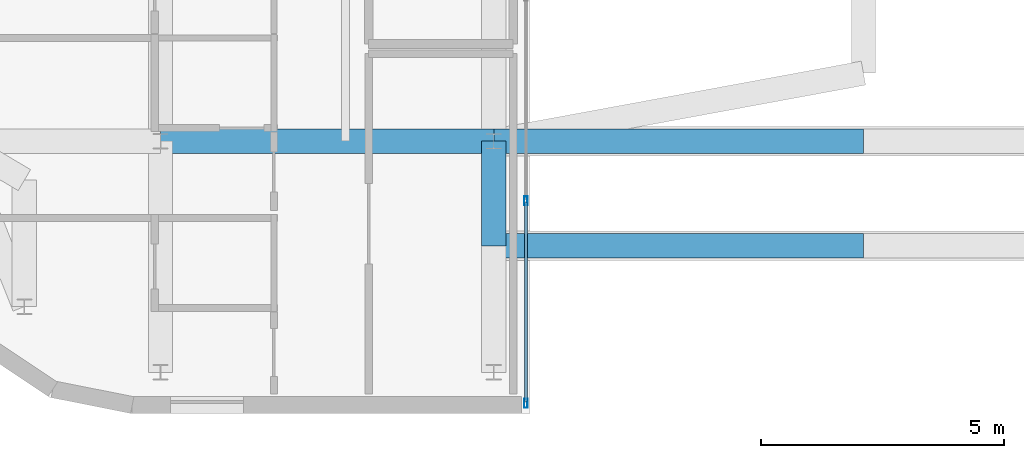
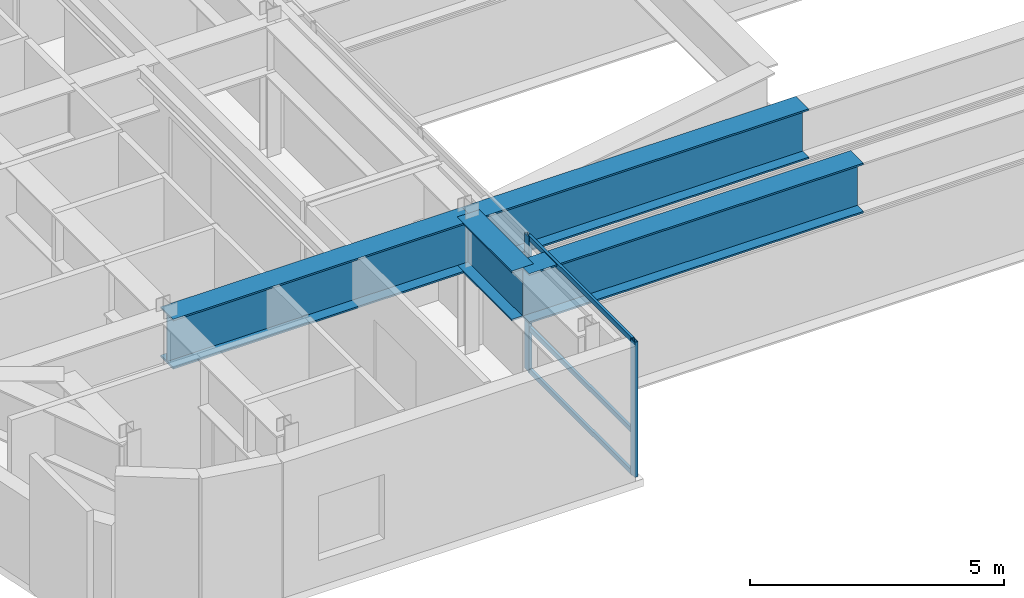
# One storey, part 4 of 21: 5 members, 4 beams, 1 element without a shape of its own.
"""IFC4 building model written with IfcOpenShell, lengths in metres."""

from ifc_helpers import new_model, si_unit, direction, frame, origin, origin_2d, place, context, subcontext, project, spatial, hollow_rectangle, i_section, extrude, source, transform, mapped, material, layer, layer_set, material_profile, profile_set, type_object, type_shapes, element, aggregate, save


model = new_model("IFC4")

# Units and contexts
model_context = context("Model", 3, precision=1e-05, world=origin(), true_north=direction((0.0, 1.0)))
body_context = subcontext(model_context, "Body", "Model", "MODEL_VIEW")
ifc_project = project(units=[si_unit("LENGTHUNIT", "METRE"), si_unit("AREAUNIT", "SQUARE_METRE"), si_unit("VOLUMEUNIT", "CUBIC_METRE"), si_unit("PLANEANGLEUNIT", "RADIAN"), si_unit("MASSUNIT", "GRAM", prefix="KILO")], contexts=[model_context])

# Site, building, storey
site_placement = place(None, origin())
site = spatial("IfcSite", under=ifc_project, at=site_placement, CompositionType="ELEMENT")
building_placement = place(site_placement, origin())
building = spatial("IfcBuilding", under=site, at=building_placement, Name="Tolvann Quenvar Hotel", CompositionType="ELEMENT")
storey_placement = place(building_placement, frame((0.0, 0.0, 266.5)))
storey = spatial("IfcBuildingStorey", under=building, at=storey_placement, Name="L71", CompositionType="ELEMENT", Elevation=266.5)

# Beams
ifc_material_1 = material(Name="Steel Grade 350", Category="steel")
ifc_material_profile_1 = material_profile(ifc_material_1, i_section(OverallWidth=0.5, OverallDepth=1.199951171875, WebThickness=0.01611328125, FlangeThickness=0.0400390625, at=origin_2d()), Name="1200WB455")
ifc_profile_set_1 = profile_set([ifc_material_profile_1], Name="Steel Grade 350")
beam_type = type_object("IfcBeamType", Name="BM_TG_1200WB455", PredefinedType="USERDEFINED", material=ifc_profile_set_1)
shared_shape_1 = source(origin(), body_context, "Body", "SweptSolid", [
    extrude(i_section(OverallWidth=0.5, OverallDepth=1.199951171875, WebThickness=0.01611328125, FlangeThickness=0.0400390625, at=origin_2d()), origin(), (0.0, 0.0, 1.0), 6.849853515625),
])
beam_1_placement = place(storey_placement, frame((7.60009765625, 8.199951171875, 2.64990234375), z_axis=(1.0, 0.0, 0.0), x_axis=(0.0, 1.0, 0.0)))
element("IfcBeam", 1, at=beam_1_placement, inside=storey, type_object=beam_type, Name="BM-L71-EW-3-C3-D3", ObjectType="TRANSFER GIRDER", PredefinedType="USERDEFINED", context=body_context, shape_type="MappedRepresentation", body=[
    mapped(shared_shape_1, transform((0.0, 0.0, 0.0), x_axis=(1.0, 0.0, 0.0), y_axis=(0.0, 1.0, 0.0), z_axis=(0.0, 0.0, 1.0), scale=1.0)),
])
shared_shape_2 = source(origin(), body_context, "Body", "SweptSolid", [
    extrude(i_section(OverallWidth=0.5, OverallDepth=1.199951171875, WebThickness=0.01611328125, FlangeThickness=0.0400390625, at=origin_2d()), origin(), (0.0, 0.0, 1.0), 7.60009765625),
])
for number, where, z_axis, x_axis, name in (
    (2, (14.449951171875, 6.050048828125, 2.64990234375), (1.0, 0.0, 0.0), (0.0, 1.0, 0.0), "TG-L71-TOP-Y6A"),
    (3, (14.449951171875, 8.199951171875, 2.64990234375), (1.0, 0.0, 0.0), (0.0, 1.0, 0.0), "TG-L71-TOP-Y8A"),
):
    element("IfcBeam", number, at=place(storey_placement, frame(where, z_axis=z_axis, x_axis=x_axis)), inside=storey, type_object=beam_type, Name=name, ObjectType="TRANSFER GIRDER", PredefinedType="USERDEFINED", context=body_context, shape_type="MappedRepresentation", body=[
        mapped(shared_shape_2, transform((0.0, 0.0, 0.0), x_axis=(1.0, 0.0, 0.0), y_axis=(0.0, 1.0, 0.0), z_axis=(0.0, 0.0, 1.0), scale=1.0)),
    ])
shared_shape_3 = source(origin(), body_context, "Body", "SweptSolid", [
    extrude(i_section(OverallWidth=0.5, OverallDepth=1.199951171875, WebThickness=0.01611328125, FlangeThickness=0.0400390625, at=origin_2d()), origin(), (0.0, 0.0, 1.0), 2.14990234375),
])
type_shapes(beam_type, [shared_shape_1, shared_shape_2, shared_shape_3])
beam_2_placement = place(storey_placement, frame((14.449951171875, 6.050048828125, 2.64990234375), z_axis=(0.0, 1.0, 0.0), x_axis=(-1.0, 0.0, 0.0)))
element("IfcBeam", 4, at=beam_2_placement, inside=storey, type_object=beam_type, Name="TG-L71-NS-D2", ObjectType="TRANSFER GIRDER", PredefinedType="USERDEFINED", context=body_context, shape_type="MappedRepresentation", body=[
    mapped(shared_shape_3, transform((0.0, 0.0, 0.0), x_axis=(1.0, 0.0, 0.0), y_axis=(0.0, 1.0, 0.0), z_axis=(0.0, 0.0, 1.0), scale=1.0)),
])

# Curtain wall, members
ifc_material_2 = material(Name="Thermally broken anodised architectural aluminium 6063-T6 and laminated low-E glass", Category="aluminium")
ifc_layer = layer(ifc_material_2, 0.179931640625)
ifc_layer_set = layer_set([ifc_layer], Name="Thermally broken anodised architectural aluminium 6063-T6 and laminated low-E glass")
curtain_wall_type = type_object("IfcCurtainWallType", Name="CW_SYS_PORTAL_05", PredefinedType="USERDEFINED", material=ifc_layer_set)
curtain_wall_placement = place(storey_placement, origin())
curtain_wall = element("IfcCurtainWall", 5, at=curtain_wall_placement, inside=storey, type_object=curtain_wall_type, Name="Curtain Wall CW-PORTAL-05 (CWR-L71-E05)", ObjectType="UNITISED CURTAIN WALL", PredefinedType="USERDEFINED")
ifc_material_3 = material(Name="Anodised architectural aluminium 6063-T6 framing", Category="aluminium")
ifc_material_profile_2 = material_profile(ifc_material_3, hollow_rectangle(XDim=0.070068359375, YDim=0.179931640625, WallThickness=0.00390625, at=origin_2d()), Name="180x70x4RHS")
ifc_profile_set_2 = profile_set([ifc_material_profile_2], Name="Anodised architectural aluminium 6063-T6 framing")
member_type_1 = type_object("IfcMemberType", Name="CW_MULL_180x70", PredefinedType="MULLION", material=ifc_profile_set_2)
shared_shape_4 = source(origin(), body_context, "Body", "SweptSolid", [
    extrude(hollow_rectangle(XDim=0.070068359375, YDim=0.179931640625, WallThickness=0.00390625, at=origin_2d()), origin(), (0.0, 0.0, 1.0), 3.25),
])
type_shapes(member_type_1, [shared_shape_4])
member_1_placement = place(storey_placement, frame((15.110107421875, 2.81005859375, 0.0), z_axis=(0.0, 0.0, 1.0), x_axis=(-1.0, 0.0, 0.0)))
member_1 = element("IfcMember", 6, at=member_1_placement, type_object=member_type_1, Name="CW-PORTAL-05 mullion 1", PredefinedType="MULLION", context=body_context, shape_type="MappedRepresentation", body=[
    mapped(shared_shape_4, transform((0.0, 0.0, 0.0), x_axis=(1.0, 0.0, 0.0), y_axis=(0.0, 1.0, 0.0), z_axis=(0.0, 0.0, 1.0), scale=1.0)),
])
member_2_placement = place(storey_placement, frame((15.110107421875, 6.97509765625, 0.0), z_axis=(0.0, 0.0, 1.0), x_axis=(-1.0, 0.0, 0.0)))
member_2 = element("IfcMember", 7, at=member_2_placement, type_object=member_type_1, Name="CW-PORTAL-05 mullion 2", PredefinedType="MULLION", context=body_context, shape_type="MappedRepresentation", body=[
    mapped(shared_shape_4, transform((0.0, 0.0, 0.0), x_axis=(1.0, 0.0, 0.0), y_axis=(0.0, 1.0, 0.0), z_axis=(0.0, 0.0, 1.0), scale=1.0)),
])
ifc_material_profile_3 = material_profile(ifc_material_3, hollow_rectangle(XDim=0.06005859375, YDim=0.1201171875, WallThickness=0.00341796875, at=origin_2d()), Name="120x60x3.5RHS")
ifc_profile_set_3 = profile_set([ifc_material_profile_3], Name="Anodised architectural aluminium 6063-T6 framing")
member_type_2 = type_object("IfcMemberType", Name="CW_TRAN_120x60", PredefinedType="USERDEFINED", material=ifc_profile_set_3)
shared_shape_5 = source(origin(), body_context, "Body", "SweptSolid", [
    extrude(hollow_rectangle(XDim=0.06005859375, YDim=0.1201171875, WallThickness=0.00341796875, at=origin_2d()), origin(), (0.0, 0.0, 1.0), 4.094970703125),
])
type_shapes(member_type_2, [shared_shape_5])
member_3_placement = place(storey_placement, frame((15.110107421875, 2.844970703125, 0.030029296875), z_axis=(0.0, 1.0, 0.0), x_axis=(-1.0, 0.0, 0.0)))
member_3 = element("IfcMember", 8, at=member_3_placement, type_object=member_type_2, Name="CW-PORTAL-05 transom 1.1", ObjectType="TRANSOM", PredefinedType="USERDEFINED", context=body_context, shape_type="MappedRepresentation", body=[
    mapped(shared_shape_5, transform((0.0, 0.0, 0.0), x_axis=(1.0, 0.0, 0.0), y_axis=(0.0, 1.0, 0.0), z_axis=(0.0, 0.0, 1.0), scale=1.0)),
])
member_4_placement = place(storey_placement, frame((15.110107421875, 2.844970703125, 1.0400390625), z_axis=(0.0, 1.0, 0.0), x_axis=(-1.0, 0.0, 0.0)))
member_4 = element("IfcMember", 9, at=member_4_placement, type_object=member_type_2, Name="CW-PORTAL-05 transom 1.2", ObjectType="TRANSOM", PredefinedType="USERDEFINED", context=body_context, shape_type="MappedRepresentation", body=[
    mapped(shared_shape_5, transform((0.0, 0.0, 0.0), x_axis=(1.0, 0.0, 0.0), y_axis=(0.0, 1.0, 0.0), z_axis=(0.0, 0.0, 1.0), scale=1.0)),
])
member_5_placement = place(storey_placement, frame((15.110107421875, 2.844970703125, 3.219970703125), z_axis=(0.0, 1.0, 0.0), x_axis=(-1.0, 0.0, 0.0)))
member_5 = element("IfcMember", 10, at=member_5_placement, type_object=member_type_2, Name="CW-PORTAL-05 transom 1.3", ObjectType="TRANSOM", PredefinedType="USERDEFINED", context=body_context, shape_type="MappedRepresentation", body=[
    mapped(shared_shape_5, transform((0.0, 0.0, 0.0), x_axis=(1.0, 0.0, 0.0), y_axis=(0.0, 1.0, 0.0), z_axis=(0.0, 0.0, 1.0), scale=1.0)),
])
aggregate(curtain_wall, [member_1, member_2, member_3, member_4, member_5])

save(model, "model.ifc")
